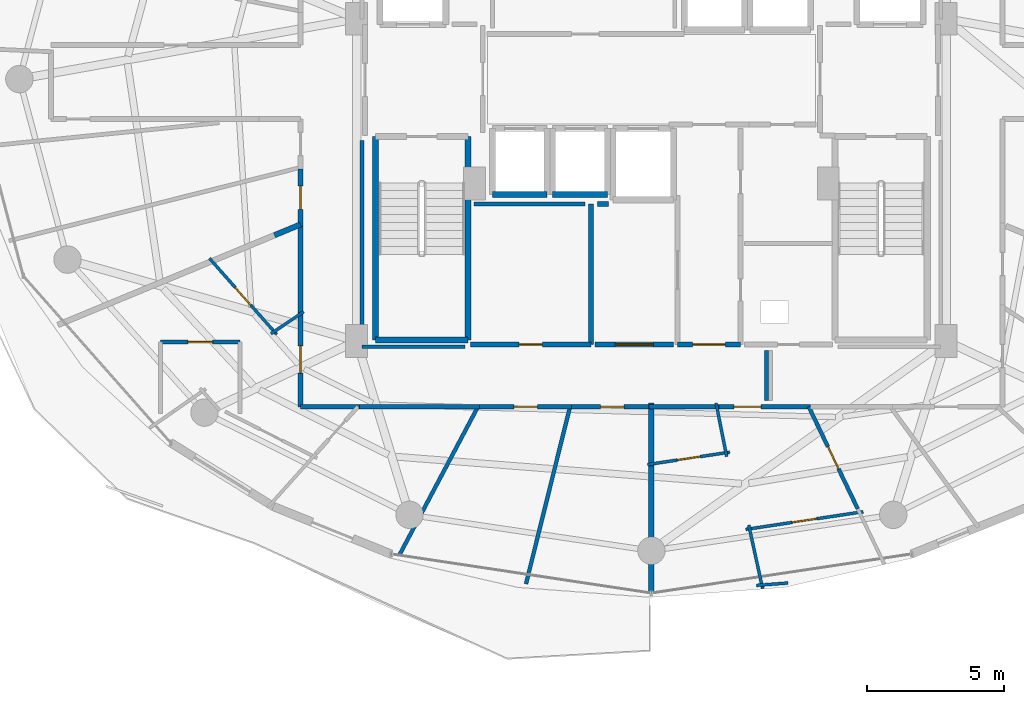
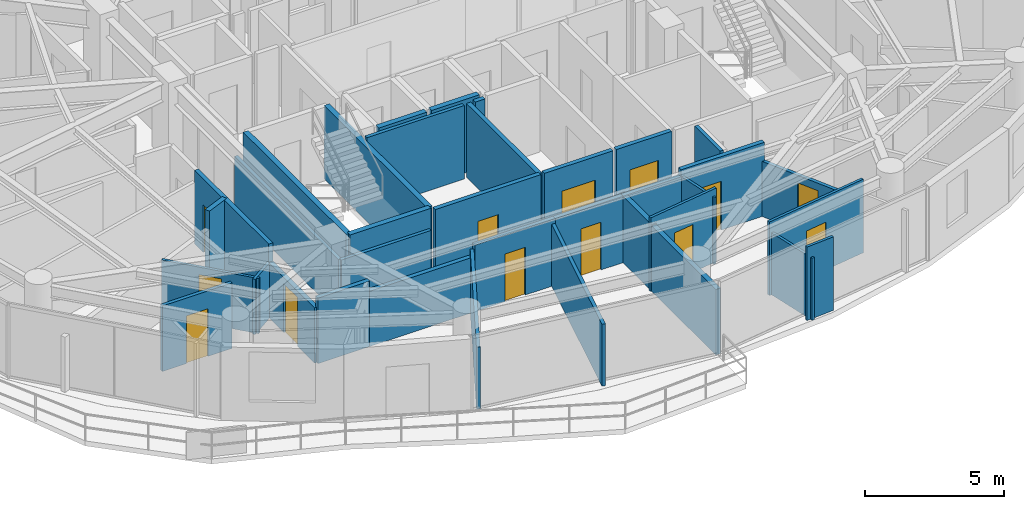
# One storey, part 20 of 28: 37 walls, 13 doors, 13 openings.
"""IFC4 building model written with IfcOpenShell, lengths in metres."""

from ifc_helpers import new_model, si_unit, direction, frame, frame_2d, origin, place, context, subcontext, project, spatial, rectangle, extrude, material, layer, layer_set, type_object, element, fill, save


model = new_model("IFC4")

# Units and contexts
model_context = context("Model", 3, precision=1e-05, world=origin(), true_north=direction((0.0, 1.0)))
body_context = subcontext(model_context, "Body", "Model", "MODEL_VIEW")
ifc_project = project(units=[si_unit("LENGTHUNIT", "METRE"), si_unit("AREAUNIT", "SQUARE_METRE"), si_unit("VOLUMEUNIT", "CUBIC_METRE"), si_unit("PLANEANGLEUNIT", "RADIAN"), si_unit("MASSUNIT", "GRAM", prefix="KILO")], contexts=[model_context])

# Site, building, storey
site_placement = place(None, origin())
site = spatial("IfcSite", under=ifc_project, at=site_placement, CompositionType="ELEMENT")
building_placement = place(site_placement, origin())
building = spatial("IfcBuilding", under=site, at=building_placement, Name="Vorneva Point Tower", CompositionType="ELEMENT")
storey_placement = place(building_placement, frame((0.0, 0.0, 164.10009765625)))
storey = spatial("IfcBuildingStorey", under=building, at=storey_placement, Name="L44", CompositionType="ELEMENT", Elevation=164.10009765625)

# Wall
ifc_material_1 = material(Name="Fire-rated acoustic gypsum stud partition", Category="gypsum")
ifc_layer_1 = layer(ifc_material_1, 0.110107421875)
ifc_layer_set_1 = layer_set([ifc_layer_1], Name="Fire-rated acoustic gypsum stud partition")
wall_type_1 = type_object("IfcWallType", Name="WL-PART-110", PredefinedType="PARTITIONING", material=ifc_layer_set_1)
wall_1_placement = place(storey_placement, frame((25.31640625, 17.513916015625, 0.0), z_axis=(0.0, 0.0, 1.0), x_axis=(-0.830948636418, -0.556349138253, 0.0)))
element("IfcWall", 1, at=wall_1_placement, inside=storey, type_object=wall_type_1, Name="L44 Interior Partition 099", PredefinedType="PARTITIONING", context=body_context, shape_type="SweptSolid", body=[
    extrude(rectangle(XDim=1.43408203125, YDim=0.110107421875, at=frame_2d((0.717041015625, 0.0))), origin(), (0.0, 0.0, 1.0), 2.431884765625),
])

# Wall, opening, door
wall_2_placement = place(storey_placement, frame((24.333740234375, 16.689208984375, 0.0), z_axis=(0.0, 0.0, 1.0), x_axis=(-0.662140147261, 0.749380027346, 0.0)))
wall_2 = element("IfcWall", 2, at=wall_2_placement, inside=storey, type_object=wall_type_1, Name="L44 Interior Partition 100", PredefinedType="PARTITIONING", context=body_context, shape_type="SweptSolid", body=[
    extrude(rectangle(XDim=3.705322265625, YDim=0.110107421875, at=frame_2d((1.8525390625, 0.0))), origin(), (0.0, 0.0, 1.0), 2.431884765625),
])
opening_1_placement = place(wall_2_placement, frame((1.427734375, 0.0, 0.0)))
opening_1 = element("IfcOpeningElement", 3, at=opening_1_placement, cuts=wall_2, Name="Opening ID-02", PredefinedType="OPENING", context=body_context, shape_type="SweptSolid", body=[
    extrude(rectangle(XDim=0.85009765625, YDim=2.10009765625, at=frame_2d((0.425048828125, 1.050048828125))), frame((0.0, 0.06982421875, 0.0), z_axis=(0.0, -1.0, 0.0), x_axis=(1.0, 0.0, 0.0)), (0.0, 0.0, 1.0), 0.139892578125),
])
ifc_material_2 = material(Name="Engineered oak fire-rated door leaf", Category="wood")
door_type_1 = type_object("IfcDoorType", Name="DR-BATH-850", OperationType="NOTDEFINED", PredefinedType="DOOR", material=ifc_material_2)
door_1_placement = place(opening_1_placement, origin())
door_1 = element("IfcDoor", 4, at=door_1_placement, inside=storey, type_object=door_type_1, Name="L44 Door Living and Dining Room L44-03 / Bathroom L44-03", OperationType="SINGLE_SWING_LEFT", OverallHeight=2.10009765625, OverallWidth=0.85009765625, PredefinedType="DOOR", context=body_context, shape_type="SweptSolid", body=[
    extrude(rectangle(XDim=0.85009765625, YDim=2.10009765625, at=frame_2d((0.425048828125, 1.050048828125))), frame((0.0, 0.02490234375, 0.0), z_axis=(0.0, -1.0, 0.0), x_axis=(1.0, 0.0, 0.0)), (0.0, 0.0, 1.0), 0.050048828125),
])
fill(opening_1, door_1)

# Wall
wall_3_placement = place(storey_placement, frame((40.357666015625, 14.187255859375, 0.0), z_axis=(0.0, 0.0, 1.0), x_axis=(0.195313900905, -0.980740781304, 0.0)))
element("IfcWall", 5, at=wall_3_placement, inside=storey, type_object=wall_type_1, Name="L44 Interior Partition 114", PredefinedType="PARTITIONING", context=body_context, shape_type="SweptSolid", body=[
    extrude(rectangle(XDim=1.989990234375, YDim=0.110107421875, at=frame_2d((0.9951171875, 0.0))), origin(), (0.0, 0.0, 1.0), 2.928955078125),
])

# Wall, opening, door
wall_4_placement = place(storey_placement, frame((40.857421875, 12.393798828125, 0.0), z_axis=(0.0, 0.0, 1.0), x_axis=(-0.988873015636, -0.148762088409, 0.0)))
wall_4 = element("IfcWall", 6, at=wall_4_placement, inside=storey, type_object=wall_type_1, Name="L44 Interior Partition 115", PredefinedType="PARTITIONING", context=body_context, shape_type="SweptSolid", body=[
    extrude(rectangle(XDim=3.029541015625, YDim=0.110107421875, at=frame_2d((1.5146484375, 0.0))), origin(), (0.0, 0.0, 1.0), 3.239990234375),
])
opening_2_placement = place(wall_4_placement, frame((1.089599609375, 0.0, 0.0)))
opening_2 = element("IfcOpeningElement", 7, at=opening_2_placement, cuts=wall_4, Name="Opening ID-02", PredefinedType="OPENING", context=body_context, shape_type="SweptSolid", body=[
    extrude(rectangle(XDim=0.85009765625, YDim=2.10009765625, at=frame_2d((0.425048828125, 1.050048828125))), frame((0.0, 0.06982421875, 0.0), z_axis=(0.0, -1.0, 0.0), x_axis=(1.0, 0.0, 0.0)), (0.0, 0.0, 1.0), 0.139892578125),
])
door_2_placement = place(opening_2_placement, origin())
door_2 = element("IfcDoor", 8, at=door_2_placement, inside=storey, type_object=door_type_1, Name="L44 Door Living and Dining Room L44-04 / Bathroom L44-04", OperationType="SINGLE_SWING_LEFT", OverallHeight=2.10009765625, OverallWidth=0.85009765625, PredefinedType="DOOR", context=body_context, shape_type="SweptSolid", body=[
    extrude(rectangle(XDim=0.85009765625, YDim=2.10009765625, at=frame_2d((0.425048828125, 1.050048828125))), frame((0.0, 0.02490234375, 0.0), z_axis=(0.0, -1.0, 0.0), x_axis=(1.0, 0.0, 0.0)), (0.0, 0.0, 1.0), 0.050048828125),
])
fill(opening_2, door_2)

# Wall
wall_5_placement = place(storey_placement, frame((42.056884765625, 7.414306640625, 0.0), z_axis=(0.0, 0.0, 1.0), x_axis=(-0.213381137421, 0.976969032361, 0.0)))
element("IfcWall", 9, at=wall_5_placement, inside=storey, type_object=wall_type_1, Name="L44 Interior Partition 116", PredefinedType="PARTITIONING", context=body_context, shape_type="SweptSolid", body=[
    extrude(rectangle(XDim=2.375244140625, YDim=0.110107421875, at=frame_2d((1.1875, 0.0))), origin(), (0.0, 0.0, 1.0), 2.727783203125),
])

# Wall, opening, door
wall_6_placement = place(storey_placement, frame((41.441650390625, 9.5771484375, 0.0), z_axis=(0.0, 0.0, 1.0), x_axis=(0.988864290865, 0.148820073417, 0.0)))
wall_6 = element("IfcWall", 10, at=wall_6_placement, inside=storey, type_object=wall_type_1, Name="L44 Interior Partition 117", PredefinedType="PARTITIONING", context=body_context, shape_type="SweptSolid", body=[
    extrude(rectangle(XDim=4.3310546875, YDim=0.110107421875, at=frame_2d((2.16552734375, 0.0))), origin(), (0.0, 0.0, 1.0), 3.239990234375),
])
opening_3_placement = place(wall_6_placement, frame((1.715576171875, 0.0, 0.0)))
opening_3 = element("IfcOpeningElement", 11, at=opening_3_placement, cuts=wall_6, Name="Opening ID-01", PredefinedType="OPENING", context=body_context, shape_type="SweptSolid", body=[
    extrude(rectangle(XDim=0.89990234375, YDim=2.10009765625, at=frame_2d((0.449951171875, 1.050048828125))), frame((0.0, 0.06982421875, 0.0), z_axis=(0.0, -1.0, 0.0), x_axis=(1.0, 0.0, 0.0)), (0.0, 0.0, 1.0), 0.139892578125),
])
door_type_2 = type_object("IfcDoorType", Name="DR-ROOM-900", OperationType="NOTDEFINED", PredefinedType="DOOR", material=ifc_material_2)
door_3_placement = place(opening_3_placement, origin())
door_3 = element("IfcDoor", 12, at=door_3_placement, inside=storey, type_object=door_type_2, Name="L44 Door Living and Dining Room L44-04 / Kitchen L44-04", OperationType="SINGLE_SWING_RIGHT", OverallHeight=2.10009765625, OverallWidth=0.89990234375, PredefinedType="DOOR", context=body_context, shape_type="SweptSolid", body=[
    extrude(rectangle(XDim=0.89990234375, YDim=2.10009765625, at=frame_2d((0.449951171875, 1.050048828125))), frame((0.0, 0.02490234375, 0.0), z_axis=(0.0, -1.0, 0.0), x_axis=(1.0, 0.0, 0.0)), (0.0, 0.0, 1.0), 0.050048828125),
])
fill(opening_3, door_3)

# Wall
wall_7_placement = place(storey_placement, frame((41.827392578125, 7.535400390625, 0.0), z_axis=(0.0, 0.0, 1.0), x_axis=(0.997175725754, 0.07510374137, 0.0)))
element("IfcWall", 13, at=wall_7_placement, inside=storey, type_object=wall_type_1, Name="L44 Interior Partition 119", PredefinedType="PARTITIONING", context=body_context, shape_type="SweptSolid", body=[
    extrude(rectangle(XDim=1.160400390625, YDim=0.110107421875, at=frame_2d((0.580078125, 0.0))), origin(), (0.0, 0.0, 1.0), 3.239990234375),
])

# Wall, opening, door
ifc_layer_2 = layer(ifc_material_1, 0.139892578125)
ifc_layer_set_2 = layer_set([ifc_layer_2], Name="Fire-rated acoustic gypsum stud partition")
wall_type_2 = type_object("IfcWallType", Name="WL-PART-140", PredefinedType="PARTITIONING", material=ifc_layer_set_2)
wall_8_placement = place(storey_placement, frame((20.09912109375, 16.408935546875, 0.0), z_axis=(0.0, 0.0, 1.0), x_axis=(1.0, 0.0, 0.0)))
wall_8 = element("IfcWall", 14, at=wall_8_placement, inside=storey, type_object=wall_type_2, Name="L44 Interior Partition 105", PredefinedType="PARTITIONING", context=body_context, shape_type="SweptSolid", body=[
    extrude(rectangle(XDim=2.89990234375, YDim=0.139892578125, at=frame_2d((1.449951171875, 0.0))), origin(), (0.0, 0.0, 1.0), 2.885986328125),
])
opening_4_placement = place(wall_8_placement, frame((1.0, 0.0, 0.0)))
opening_4 = element("IfcOpeningElement", 15, at=opening_4_placement, cuts=wall_8, Name="Opening ID-01", PredefinedType="OPENING", context=body_context, shape_type="SweptSolid", body=[
    extrude(rectangle(XDim=0.89990234375, YDim=2.10009765625, at=frame_2d((0.449951171875, 1.050048828125))), frame((0.0, 0.0849609375, 0.0), z_axis=(0.0, -1.0, 0.0), x_axis=(1.0, 0.0, 0.0)), (0.0, 0.0, 1.0), 0.169677734375),
])
door_4_placement = place(opening_4_placement, origin())
door_4 = element("IfcDoor", 16, at=door_4_placement, inside=storey, type_object=door_type_2, Name="L44 Door Living and Dining Room L44-03 / Study Room L44-03", OperationType="SINGLE_SWING_LEFT", OverallHeight=2.10009765625, OverallWidth=0.89990234375, PredefinedType="DOOR", context=body_context, shape_type="SweptSolid", body=[
    extrude(rectangle(XDim=0.89990234375, YDim=2.10009765625, at=frame_2d((0.449951171875, 1.050048828125))), frame((0.0, 0.02490234375, 0.0), z_axis=(0.0, -1.0, 0.0), x_axis=(1.0, 0.0, 0.0)), (0.0, 0.0, 1.0), 0.050048828125),
])
fill(opening_4, door_4)

# Walls
wall_9_placement = place(storey_placement, frame((28.7939453125, 8.614013671875, 0.0), z_axis=(0.0, 0.0, 1.0), x_axis=(0.468046359573, 0.883703912682, 0.0)))
element("IfcWall", 17, at=wall_9_placement, inside=storey, type_object=wall_type_2, Name="L44 Interior Partition 110", PredefinedType="PARTITIONING", context=body_context, shape_type="SweptSolid", body=[
    extrude(rectangle(XDim=6.1513671875, YDim=0.139892578125, at=frame_2d((3.07568359375, 0.0))), origin(), (0.0, 0.0, 1.0), 2.727783203125),
])
wall_10_placement = place(storey_placement, frame((33.427001953125, 7.592041015625, 0.0), z_axis=(0.0, 0.0, 1.0), x_axis=(0.241188715884, 0.970478234341, 0.0)))
element("IfcWall", 18, at=wall_10_placement, inside=storey, type_object=wall_type_2, Name="L44 Interior Partition 111", PredefinedType="PARTITIONING", context=body_context, shape_type="SweptSolid", body=[
    extrude(rectangle(XDim=6.654541015625, YDim=0.139892578125, at=frame_2d((3.3271484375, 0.0))), origin(), (0.0, 0.0, 1.0), 2.727783203125),
])

# Wall, opening, door
wall_11_placement = place(storey_placement, frame((45.525634765625, 10.327392578125, 0.0), z_axis=(0.0, 0.0, 1.0), x_axis=(-0.432873287366, 0.90145477817, 0.0)))
wall_11 = element("IfcWall", 19, at=wall_11_placement, inside=storey, type_object=wall_type_2, Name="L44 Interior Partition 120", PredefinedType="PARTITIONING", context=body_context, shape_type="SweptSolid", body=[
    extrude(rectangle(XDim=4.129638671875, YDim=0.139892578125, at=frame_2d((2.06494140625, 0.0))), origin(), (0.0, 0.0, 1.0), 2.431884765625),
])
opening_5_placement = place(wall_11_placement, frame((1.61474609375, 0.0, 0.0)))
opening_5 = element("IfcOpeningElement", 20, at=opening_5_placement, cuts=wall_11, Name="Opening ID-01", PredefinedType="OPENING", context=body_context, shape_type="SweptSolid", body=[
    extrude(rectangle(XDim=0.89990234375, YDim=2.10009765625, at=frame_2d((0.449951171875, 1.050048828125))), frame((0.0, 0.0849609375, 0.0), z_axis=(0.0, -1.0, 0.0), x_axis=(1.0, 0.0, 0.0)), (0.0, 0.0, 1.0), 0.169677734375),
])
door_5_placement = place(opening_5_placement, origin())
door_5 = element("IfcDoor", 21, at=door_5_placement, inside=storey, type_object=door_type_2, Name="L44 Door Living and Dining Room L44-04 / Master Bedroom L44-04.1", OperationType="SINGLE_SWING_LEFT", OverallHeight=2.10009765625, OverallWidth=0.89990234375, PredefinedType="DOOR", context=body_context, shape_type="SweptSolid", body=[
    extrude(rectangle(XDim=0.89990234375, YDim=2.10009765625, at=frame_2d((0.449951171875, 1.050048828125))), frame((0.0, 0.02490234375, 0.0), z_axis=(0.0, -1.0, 0.0), x_axis=(1.0, 0.0, 0.0)), (0.0, 0.0, 1.0), 0.050048828125),
])
fill(opening_5, door_5)

# Walls
wall_12_placement = place(storey_placement, frame((35.580078125, 21.449951171875, 0.0), z_axis=(0.0, 0.0, 1.0), x_axis=(-1.0, 0.0, 0.0)))
element("IfcWall", 22, at=wall_12_placement, inside=storey, type_object=wall_type_2, Name="L44 Interior Closure Partition 132", PredefinedType="PARTITIONING", context=body_context, shape_type="SweptSolid", body=[
    extrude(rectangle(XDim=4.050048828125, YDim=0.139892578125, at=frame_2d((2.02490234375, 0.0))), origin(), (0.0, 0.0, 1.0), 3.239990234375),
])
wall_13_placement = place(storey_placement, frame((27.449951171875, 23.75390625, 0.0), z_axis=(0.0, 0.0, 1.0), x_axis=(0.0, -1.0, 0.0)))
element("IfcWall", 23, at=wall_13_placement, inside=storey, type_object=wall_type_2, Name="L44 Interior Closure Partition 142", PredefinedType="PARTITIONING", context=body_context, shape_type="SweptSolid", body=[
    extrude(rectangle(XDim=7.513916015625, YDim=0.139892578125, at=frame_2d((3.7568359375, 0.0))), origin(), (0.0, 0.0, 1.0), 2.431884765625),
])
wall_14_placement = place(storey_placement, frame((27.449951171875, 16.239990234375, 0.0), z_axis=(0.0, 0.0, 1.0), x_axis=(1.0, 0.0, 0.0)))
element("IfcWall", 24, at=wall_14_placement, inside=storey, type_object=wall_type_2, Name="L44 Interior Closure Partition 143", PredefinedType="PARTITIONING", context=body_context, shape_type="SweptSolid", body=[
    extrude(rectangle(XDim=3.7451171875, YDim=0.139892578125, at=frame_2d((1.87255859375, 0.0))), origin(), (0.0, 0.0, 1.0), 2.431884765625),
])
wall_15_placement = place(storey_placement, frame((42.199951171875, 16.10009765625, 0.0), z_axis=(0.0, 0.0, 1.0), x_axis=(0.0, -1.0, 0.0)))
element("IfcWall", 25, at=wall_15_placement, inside=storey, type_object=wall_type_2, Name="L44 Interior Closure Partition 144", PredefinedType="PARTITIONING", context=body_context, shape_type="SweptSolid", body=[
    extrude(rectangle(XDim=1.830078125, YDim=0.139892578125, at=frame_2d((0.9150390625, 0.0))), origin(), (0.0, 0.0, 1.0), 3.239990234375),
])

# Wall, opening, door
ifc_material_3 = material(Name="Autoclaved aerated concrete blockwork", Category="masonry")
ifc_layer_3 = layer(ifc_material_3, 0.179931640625)
ifc_layer_set_3 = layer_set([ifc_layer_3], Name="Autoclaved aerated concrete blockwork")
wall_type_3 = type_object("IfcWallType", Name="WL-PART-180", PredefinedType="PARTITIONING", material=ifc_layer_set_3)
wall_16_placement = place(storey_placement, frame((38.949951171875, 16.320068359375, 0.0), z_axis=(0.0, 0.0, 1.0), x_axis=(1.0, 0.0, 0.0)))
wall_16 = element("IfcWall", 26, at=wall_16_placement, inside=storey, type_object=wall_type_3, Name="L44 Interior Partition 016", PredefinedType="PARTITIONING", context=body_context, shape_type="SweptSolid", body=[
    extrude(rectangle(XDim=2.300048828125, YDim=0.179931640625, at=frame_2d((1.14990234375, 0.0))), origin(), (0.0, 0.0, 1.0), 3.239990234375),
])
opening_6_placement = place(wall_16_placement, frame((0.550048828125, 0.0, 0.0)))
opening_6 = element("IfcOpeningElement", 27, at=opening_6_placement, cuts=wall_16, Name="Opening FD-02", PredefinedType="OPENING", context=body_context, shape_type="SweptSolid", body=[
    extrude(rectangle(XDim=1.199951171875, YDim=2.14990234375, at=frame_2d((0.60009765625, 1.074951171875))), frame((0.0, 0.10498046875, 0.0), z_axis=(0.0, -1.0, 0.0), x_axis=(1.0, 0.0, 0.0)), (0.0, 0.0, 1.0), 0.209716796875),
])
ifc_material_4 = material(Name="Fire-rated powder-coated steel", Category="steel")
door_type_3 = type_object("IfcDoorType", Name="DR-FFL-1200", OperationType="NOTDEFINED", PredefinedType="DOOR", material=ifc_material_4)
door_6_placement = place(opening_6_placement, origin())
door_6 = element("IfcDoor", 28, at=door_6_placement, inside=storey, type_object=door_type_3, Name="L44 Door Core Service Lobby / L44 Circulation Corridor", OperationType="SINGLE_SWING_RIGHT", OverallHeight=2.14990234375, OverallWidth=1.199951171875, PredefinedType="DOOR", context=body_context, shape_type="SweptSolid", body=[
    extrude(rectangle(XDim=1.199951171875, YDim=2.14990234375, at=frame_2d((0.60009765625, 1.074951171875))), frame((0.0, 0.02490234375, 0.0), z_axis=(0.0, -1.0, 0.0), x_axis=(1.0, 0.0, 0.0)), (0.0, 0.0, 1.0), 0.050048828125),
])
fill(opening_6, door_6)

# Wall
wall_17_placement = place(storey_placement, frame((35.800048828125, 16.320068359375, 0.0), z_axis=(0.0, 0.0, 1.0), x_axis=(0.0, 1.0, 0.0)))
element("IfcWall", 29, at=wall_17_placement, inside=storey, type_object=wall_type_3, Name="L44 Interior Partition 027", PredefinedType="PARTITIONING", context=body_context, shape_type="SweptSolid", body=[
    extrude(rectangle(XDim=5.1298828125, YDim=0.179931640625, at=frame_2d((2.56494140625, 0.0))), origin(), (0.0, 0.0, 1.0), 3.239990234375),
])

# Wall, opening, door
wall_18_placement = place(storey_placement, frame((31.39990234375, 16.320068359375, 0.0), z_axis=(0.0, 0.0, 1.0), x_axis=(1.0, 0.0, 0.0)))
wall_18 = element("IfcWall", 30, at=wall_18_placement, inside=storey, type_object=wall_type_3, Name="L44 Interior Partition 028", PredefinedType="PARTITIONING", context=body_context, shape_type="SweptSolid", body=[
    extrude(rectangle(XDim=4.400146484375, YDim=0.179931640625, at=frame_2d((2.2001953125, 0.0))), origin(), (0.0, 0.0, 1.0), 3.239990234375),
])
opening_7_placement = place(wall_18_placement, frame((1.77490234375, 0.0, 0.0)))
opening_7 = element("IfcOpeningElement", 31, at=opening_7_placement, cuts=wall_18, Name="Opening ID-02", PredefinedType="OPENING", context=body_context, shape_type="SweptSolid", body=[
    extrude(rectangle(XDim=0.85009765625, YDim=2.10009765625, at=frame_2d((0.425048828125, 1.050048828125))), frame((0.0, 0.10498046875, 0.0), z_axis=(0.0, -1.0, 0.0), x_axis=(1.0, 0.0, 0.0)), (0.0, 0.0, 1.0), 0.209716796875),
])
door_7_placement = place(opening_7_placement, origin())
door_7 = element("IfcDoor", 32, at=door_7_placement, inside=storey, type_object=door_type_1, Name="L44 Door Bicycle Gear Store / L44 Circulation Corridor", OperationType="SINGLE_SWING_LEFT", OverallHeight=2.10009765625, OverallWidth=0.85009765625, PredefinedType="DOOR", context=body_context, shape_type="SweptSolid", body=[
    extrude(rectangle(XDim=0.85009765625, YDim=2.10009765625, at=frame_2d((0.425048828125, 1.050048828125))), frame((0.0, 0.02490234375, 0.0), z_axis=(0.0, -1.0, 0.0), x_axis=(1.0, 0.0, 0.0)), (0.0, 0.0, 1.0), 0.050048828125),
])
fill(opening_7, door_7)

wall_19_placement = place(storey_placement, frame((35.949951171875, 16.320068359375, 0.0), z_axis=(0.0, 0.0, 1.0), x_axis=(1.0, 0.0, 0.0)))
wall_19 = element("IfcWall", 33, at=wall_19_placement, inside=storey, type_object=wall_type_3, Name="L44 Interior Partition 029", PredefinedType="PARTITIONING", context=body_context, shape_type="SweptSolid", body=[
    extrude(rectangle(XDim=2.85009765625, YDim=0.179931640625, at=frame_2d((1.425048828125, 0.0))), origin(), (0.0, 0.0, 1.0), 3.239990234375),
])
opening_8_placement = place(wall_19_placement, frame((0.72509765625, 0.0, 0.0)))
opening_8 = element("IfcOpeningElement", 34, at=opening_8_placement, cuts=wall_19, Name="Opening FD-03", PredefinedType="OPENING", context=body_context, shape_type="SweptSolid", body=[
    extrude(rectangle(XDim=1.39990234375, YDim=2.199951171875, at=frame_2d((0.699951171875, 1.10009765625))), frame((0.0, 0.10498046875, 0.0), z_axis=(0.0, -1.0, 0.0), x_axis=(1.0, 0.0, 0.0)), (0.0, 0.0, 1.0), 0.209716796875),
])
door_type_4 = type_object("IfcDoorType", Name="DR-PLT-1400", OperationType="DOUBLE_SWING_LEFT", PredefinedType="DOOR", material=ifc_material_4)
door_8_placement = place(opening_8_placement, origin())
door_8 = element("IfcDoor", 35, at=door_8_placement, inside=storey, type_object=door_type_4, Name="L44 Door Telecoms and Data Room / L44 Circulation Corridor", OperationType="DOUBLE_SWING_LEFT", OverallHeight=2.199951171875, OverallWidth=1.39990234375, PredefinedType="DOOR", context=body_context, shape_type="SweptSolid", body=[
    extrude(rectangle(XDim=1.39990234375, YDim=2.199951171875, at=frame_2d((0.699951171875, 1.10009765625))), frame((0.0, 0.02490234375, 0.0), z_axis=(0.0, -1.0, 0.0), x_axis=(1.0, 0.0, 0.0)), (0.0, 0.0, 1.0), 0.050048828125),
])
fill(opening_8, door_8)

wall_20_placement = place(storey_placement, frame((25.199951171875, 22.716064453125, 0.0), z_axis=(0.0, 0.0, 1.0), x_axis=(0.0, -1.0, 0.0)))
wall_20 = element("IfcWall", 36, at=wall_20_placement, inside=storey, type_object=wall_type_3, Name="L44 Interior Partition 046", PredefinedType="PARTITIONING", context=body_context, shape_type="SweptSolid", body=[
    extrude(rectangle(XDim=2.0830078125, YDim=0.179931640625, at=frame_2d((1.04150390625, 0.0))), origin(), (0.0, 0.0, 1.0), 3.239990234375),
])
opening_9_placement = place(wall_20_placement, frame((0.616455078125, 0.0, 0.0)))
opening_9 = element("IfcOpeningElement", 37, at=opening_9_placement, cuts=wall_20, Name="Opening ID-02", PredefinedType="OPENING", context=body_context, shape_type="SweptSolid", body=[
    extrude(rectangle(XDim=0.85009765625, YDim=2.10009765625, at=frame_2d((0.425048828125, 1.050048828125))), frame((0.0, 0.10498046875, 0.0), z_axis=(0.0, -1.0, 0.0), x_axis=(1.0, 0.0, 0.0)), (0.0, 0.0, 1.0), 0.209716796875),
])
door_9_placement = place(opening_9_placement, origin())
door_9 = element("IfcDoor", 38, at=door_9_placement, inside=storey, type_object=door_type_1, Name="L44 Access Door L44 Circulation Corridor", OperationType="SINGLE_SWING_RIGHT", OverallHeight=2.10009765625, OverallWidth=0.85009765625, PredefinedType="DOOR", context=body_context, shape_type="SweptSolid", body=[
    extrude(rectangle(XDim=0.85009765625, YDim=2.10009765625, at=frame_2d((0.425048828125, 1.050048828125))), frame((0.0, 0.02490234375, 0.0), z_axis=(0.0, -1.0, 0.0), x_axis=(1.0, 0.0, 0.0)), (0.0, 0.0, 1.0), 0.050048828125),
])
fill(opening_9, door_9)

wall_21_placement = place(storey_placement, frame((25.199951171875, 17.49609375, 0.0), z_axis=(0.0, 0.0, 1.0), x_axis=(0.0, -1.0, 0.0)))
wall_21 = element("IfcWall", 39, at=wall_21_placement, inside=storey, type_object=wall_type_3, Name="L44 Interior Partition 047", PredefinedType="PARTITIONING", context=body_context, shape_type="SweptSolid", body=[
    extrude(rectangle(XDim=3.446044921875, YDim=0.179931640625, at=frame_2d((1.72314453125, 0.0))), origin(), (0.0, 0.0, 1.0), 2.431884765625),
])
opening_10_placement = place(wall_21_placement, frame((1.222900390625, 0.0, 0.0)))
opening_10 = element("IfcOpeningElement", 40, at=opening_10_placement, cuts=wall_21, Name="Opening UD-01", PredefinedType="OPENING", context=body_context, shape_type="SweptSolid", body=[
    extrude(rectangle(XDim=1.0, YDim=2.14990234375, at=frame_2d((0.5, 1.074951171875))), frame((0.0, 0.10498046875, 0.0), z_axis=(0.0, -1.0, 0.0), x_axis=(1.0, 0.0, 0.0)), (0.0, 0.0, 1.0), 0.209716796875),
])
door_type_5 = type_object("IfcDoorType", Name="DR-UNIT-1000", OperationType="NOTDEFINED", PredefinedType="DOOR", material=ifc_material_2)
door_10_placement = place(opening_10_placement, origin())
door_10 = element("IfcDoor", 41, at=door_10_placement, inside=storey, type_object=door_type_5, Name="L44 Door L44 Circulation Corridor / Living and Dining Room L44-03", OperationType="SINGLE_SWING_LEFT", OverallHeight=2.14990234375, OverallWidth=1.0, PredefinedType="DOOR", context=body_context, shape_type="SweptSolid", body=[
    extrude(rectangle(XDim=1.0, YDim=2.14990234375, at=frame_2d((0.5, 1.074951171875))), frame((0.0, 0.02490234375, 0.0), z_axis=(0.0, -1.0, 0.0), x_axis=(1.0, 0.0, 0.0)), (0.0, 0.0, 1.0), 0.050048828125),
])
fill(opening_10, door_10)

# Walls
wall_22_placement = place(storey_placement, frame((25.199951171875, 14.050048828125, 0.0), z_axis=(0.0, 0.0, 1.0), x_axis=(1.0, 0.0, 0.0)))
element("IfcWall", 42, at=wall_22_placement, inside=storey, type_object=wall_type_3, Name="L44 Interior Partition 048", PredefinedType="PARTITIONING", context=body_context, shape_type="SweptSolid", body=[
    extrude(rectangle(XDim=2.156982421875, YDim=0.179931640625, at=frame_2d((1.07861328125, 0.0))), origin(), (0.0, 0.0, 1.0), 2.885986328125),
])
wall_23_placement = place(storey_placement, frame((25.199951171875, 20.77294921875, 0.0), z_axis=(0.0, 0.0, 1.0), x_axis=(0.0, -1.0, 0.0)))
element("IfcWall", 43, at=wall_23_placement, inside=storey, type_object=wall_type_3, Name="L44 Interior Partition 049", PredefinedType="PARTITIONING", context=body_context, shape_type="SweptSolid", body=[
    extrude(rectangle(XDim=3.4169921875, YDim=0.179931640625, at=frame_2d((1.70849609375, 0.0))), origin(), (0.0, 0.0, 1.0), 3.239990234375),
])
wall_24_placement = place(storey_placement, frame((27.35693359375, 14.050048828125, 0.0), z_axis=(0.0, 0.0, 1.0), x_axis=(1.0, 0.0, 0.0)))
element("IfcWall", 44, at=wall_24_placement, inside=storey, type_object=wall_type_3, Name="L44 Interior Partition 050", PredefinedType="PARTITIONING", context=body_context, shape_type="SweptSolid", body=[
    extrude(rectangle(XDim=4.3759765625, YDim=0.179931640625, at=frame_2d((2.18798828125, 0.0))), origin(), (0.0, 0.0, 1.0), 2.431884765625),
])

# Wall, opening, door
wall_25_placement = place(storey_placement, frame((31.73291015625, 14.050048828125, 0.0), z_axis=(0.0, 0.0, 1.0), x_axis=(1.0, 0.0, 0.0)))
wall_25 = element("IfcWall", 45, at=wall_25_placement, inside=storey, type_object=wall_type_3, Name="L44 Interior Partition 051", PredefinedType="PARTITIONING", context=body_context, shape_type="SweptSolid", body=[
    extrude(rectangle(XDim=3.359130859375, YDim=0.179931640625, at=frame_2d((1.6796875, 0.0))), origin(), (0.0, 0.0, 1.0), 2.928955078125),
])
opening_11_placement = place(wall_25_placement, frame((1.25439453125, 0.0, 0.0)))
opening_11 = element("IfcOpeningElement", 46, at=opening_11_placement, cuts=wall_25, Name="Opening ID-02", PredefinedType="OPENING", context=body_context, shape_type="SweptSolid", body=[
    extrude(rectangle(XDim=0.85009765625, YDim=2.10009765625, at=frame_2d((0.425048828125, 1.050048828125))), frame((0.0, 0.10498046875, 0.0), z_axis=(0.0, -1.0, 0.0), x_axis=(1.0, 0.0, 0.0)), (0.0, 0.0, 1.0), 0.209716796875),
])
door_11_placement = place(opening_11_placement, origin())
door_11 = element("IfcDoor", 47, at=door_11_placement, inside=storey, type_object=door_type_1, Name="L44 Access Door L44 Circulation Corridor", OperationType="SINGLE_SWING_LEFT", OverallHeight=2.10009765625, OverallWidth=0.85009765625, PredefinedType="DOOR", context=body_context, shape_type="SweptSolid", body=[
    extrude(rectangle(XDim=0.85009765625, YDim=2.10009765625, at=frame_2d((0.425048828125, 1.050048828125))), frame((0.0, 0.02490234375, 0.0), z_axis=(0.0, -1.0, 0.0), x_axis=(1.0, 0.0, 0.0)), (0.0, 0.0, 1.0), 0.050048828125),
])
fill(opening_11, door_11)

wall_26_placement = place(storey_placement, frame((35.092041015625, 14.050048828125, 0.0), z_axis=(0.0, 0.0, 1.0), x_axis=(1.0, 0.0, 0.0)))
wall_26 = element("IfcWall", 48, at=wall_26_placement, inside=storey, type_object=wall_type_3, Name="L44 Interior Partition 052", PredefinedType="PARTITIONING", context=body_context, shape_type="SweptSolid", body=[
    extrude(rectangle(XDim=2.968017578125, YDim=0.179931640625, at=frame_2d((1.48388671875, 0.0))), origin(), (0.0, 0.0, 1.0), 2.928955078125),
])
opening_12_placement = place(wall_26_placement, frame((1.05908203125, 0.0, 0.0)))
opening_12 = element("IfcOpeningElement", 49, at=opening_12_placement, cuts=wall_26, Name="Opening ID-02", PredefinedType="OPENING", context=body_context, shape_type="SweptSolid", body=[
    extrude(rectangle(XDim=0.85009765625, YDim=2.10009765625, at=frame_2d((0.425048828125, 1.050048828125))), frame((0.0, 0.10498046875, 0.0), z_axis=(0.0, -1.0, 0.0), x_axis=(1.0, 0.0, 0.0)), (0.0, 0.0, 1.0), 0.209716796875),
])
door_12_placement = place(opening_12_placement, origin())
door_12 = element("IfcDoor", 50, at=door_12_placement, inside=storey, type_object=door_type_1, Name="L44 Access Door L44 Circulation Corridor", OperationType="SINGLE_SWING_RIGHT", OverallHeight=2.10009765625, OverallWidth=0.85009765625, PredefinedType="DOOR", context=body_context, shape_type="SweptSolid", body=[
    extrude(rectangle(XDim=0.85009765625, YDim=2.10009765625, at=frame_2d((0.425048828125, 1.050048828125))), frame((0.0, 0.02490234375, 0.0), z_axis=(0.0, -1.0, 0.0), x_axis=(1.0, 0.0, 0.0)), (0.0, 0.0, 1.0), 0.050048828125),
])
fill(opening_12, door_12)

wall_27_placement = place(storey_placement, frame((40.324951171875, 14.050048828125, 0.0), z_axis=(0.0, 0.0, 1.0), x_axis=(1.0, 0.0, 0.0)))
wall_27 = element("IfcWall", 51, at=wall_27_placement, inside=storey, type_object=wall_type_3, Name="L44 Interior Partition 053", PredefinedType="PARTITIONING", context=body_context, shape_type="SweptSolid", body=[
    extrude(rectangle(XDim=3.47998046875, YDim=0.179931640625, at=frame_2d((1.739990234375, 0.0))), origin(), (0.0, 0.0, 1.0), 3.239990234375),
])
opening_13_placement = place(wall_27_placement, frame((0.679931640625, 0.0, 0.0)))
opening_13 = element("IfcOpeningElement", 52, at=opening_13_placement, cuts=wall_27, Name="Opening UD-01", PredefinedType="OPENING", context=body_context, shape_type="SweptSolid", body=[
    extrude(rectangle(XDim=1.0, YDim=2.14990234375, at=frame_2d((0.5, 1.074951171875))), frame((0.0, 0.10498046875, 0.0), z_axis=(0.0, -1.0, 0.0), x_axis=(1.0, 0.0, 0.0)), (0.0, 0.0, 1.0), 0.209716796875),
])
door_13_placement = place(opening_13_placement, origin())
door_13 = element("IfcDoor", 53, at=door_13_placement, inside=storey, type_object=door_type_5, Name="L44 Door L44 Circulation Corridor / Living and Dining Room L44-04", OperationType="SINGLE_SWING_RIGHT", OverallHeight=2.14990234375, OverallWidth=1.0, PredefinedType="DOOR", context=body_context, shape_type="SweptSolid", body=[
    extrude(rectangle(XDim=1.0, YDim=2.14990234375, at=frame_2d((0.5, 1.074951171875))), frame((0.0, 0.02490234375, 0.0), z_axis=(0.0, -1.0, 0.0), x_axis=(1.0, 0.0, 0.0)), (0.0, 0.0, 1.0), 0.050048828125),
])
fill(opening_13, door_13)

# Walls
wall_28_placement = place(storey_placement, frame((37.919921875, 14.050048828125, 0.0), z_axis=(0.0, 0.0, 1.0), x_axis=(1.0, 0.0, 0.0)))
element("IfcWall", 54, at=wall_28_placement, inside=storey, type_object=wall_type_3, Name="L44 Interior Partition 054", PredefinedType="PARTITIONING", context=body_context, shape_type="SweptSolid", body=[
    extrude(rectangle(XDim=2.545166015625, YDim=0.179931640625, at=frame_2d((1.2724609375, 0.0))), origin(), (0.0, 0.0, 1.0), 2.928955078125),
])
wall_29_placement = place(storey_placement, frame((36.43896484375, 21.449951171875, 0.0), z_axis=(0.0, 0.0, 1.0), x_axis=(-1.0, 0.0, 0.0)))
element("IfcWall", 55, at=wall_29_placement, inside=storey, type_object=wall_type_3, Name="L44 Interior Closure Partition 133", PredefinedType="PARTITIONING", context=body_context, shape_type="SweptSolid", body=[
    extrude(rectangle(XDim=0.408935546875, YDim=0.179931640625, at=frame_2d((0.20458984375, 0.0))), origin(), (0.0, 0.0, 1.0), 3.239990234375),
])
ifc_layer_4 = layer(ifc_material_3, 0.199951171875)
ifc_layer_set_4 = layer_set([ifc_layer_4], Name="Autoclaved aerated concrete blockwork")
wall_type_4 = type_object("IfcWallType", Name="WL-PART-200", PredefinedType="PARTITIONING", material=ifc_layer_set_4)
wall_30_placement = place(storey_placement, frame((24.253662109375, 20.306396484375, 0.0), z_axis=(0.0, 0.0, 1.0), x_axis=(0.923789545328, 0.382900608439, 0.0)))
element("IfcWall", 56, at=wall_30_placement, inside=storey, type_object=wall_type_4, Name="L44 Interior Partition 098", PredefinedType="PARTITIONING", context=body_context, shape_type="SweptSolid", body=[
    extrude(rectangle(XDim=1.021484375, YDim=0.199951171875, at=frame_2d((0.5107421875, 0.0))), origin(), (0.0, 0.0, 1.0), 3.239990234375),
])
wall_31_placement = place(storey_placement, frame((38.0, 7.25, 0.0), z_axis=(0.0, 0.0, 1.0), x_axis=(0.0, 1.0, 0.0)))
element("IfcWall", 57, at=wall_31_placement, inside=storey, type_object=wall_type_4, Name="L44 Interior Partition 112", PredefinedType="PARTITIONING", context=body_context, shape_type="SweptSolid", body=[
    extrude(rectangle(XDim=4.77490234375, YDim=0.199951171875, at=frame_2d((2.387451171875, 0.0))), origin(), (0.0, 0.0, 1.0), 2.885986328125),
])
wall_32_placement = place(storey_placement, frame((38.0, 11.885009765625, 0.0), z_axis=(0.0, 0.0, 1.0), x_axis=(0.0, 1.0, 0.0)))
element("IfcWall", 58, at=wall_32_placement, inside=storey, type_object=wall_type_4, Name="L44 Interior Partition 113", PredefinedType="PARTITIONING", context=body_context, shape_type="SweptSolid", body=[
    extrude(rectangle(XDim=2.304931640625, YDim=0.199951171875, at=frame_2d((1.15234375, 0.0))), origin(), (0.0, 0.0, 1.0), 2.928955078125),
])
ifc_material_5 = material(Name="Concrete B50 (C40/50)", Category="concrete")
ifc_layer_5 = layer(ifc_material_5, 0.219970703125)
ifc_layer_set_5 = layer_set([ifc_layer_5], Name="Concrete B50 (C40/50)")
wall_type_5 = type_object("IfcWallType", Name="WL-SHFT-220", PredefinedType="SOLIDWALL", material=ifc_layer_set_5)
wall_33_placement = place(storey_placement, frame((31.31005859375, 23.909912109375, 0.0), z_axis=(0.0, 0.0, 1.0), x_axis=(0.0, -1.0, 0.0)))
element("IfcWall", 59, at=wall_33_placement, inside=storey, type_object=wall_type_5, Name="L44 Exit Stair ST1 Shaft Wall right", PredefinedType="SOLIDWALL", context=body_context, shape_type="SweptSolid", body=[
    extrude(rectangle(XDim=7.419921875, YDim=0.219970703125, at=frame_2d((3.7099609375, 0.0))), origin(), (0.0, 0.0, 1.0), 3.239990234375),
])
wall_34_placement = place(storey_placement, frame((31.31005859375, 16.489990234375, 0.0), z_axis=(0.0, 0.0, 1.0), x_axis=(-1.0, 0.0, 0.0)))
element("IfcWall", 60, at=wall_34_placement, inside=storey, type_object=wall_type_5, Name="L44 Exit Stair ST1 Shaft Wall far", PredefinedType="SOLIDWALL", context=body_context, shape_type="SweptSolid", body=[
    extrude(rectangle(XDim=3.3701171875, YDim=0.219970703125, at=frame_2d((1.68505859375, 0.0))), origin(), (0.0, 0.0, 1.0), 3.239990234375),
])
wall_35_placement = place(storey_placement, frame((27.93994140625, 16.489990234375, 0.0), z_axis=(0.0, 0.0, 1.0), x_axis=(0.0, 1.0, 0.0)))
element("IfcWall", 61, at=wall_35_placement, inside=storey, type_object=wall_type_5, Name="L44 Exit Stair ST1 Shaft Wall left", PredefinedType="SOLIDWALL", context=body_context, shape_type="SweptSolid", body=[
    extrude(rectangle(XDim=7.419921875, YDim=0.219970703125, at=frame_2d((3.7099609375, 0.0))), origin(), (0.0, 0.0, 1.0), 3.239990234375),
])
for number, where, z_axis, x_axis, name in (
    (62, (32.199951171875, 21.800048828125, 0.0), (0.0, 0.0, 1.0), (1.0, 0.0, 0.0), "L44 Lift PL4 Shaft Wall -Y"),
    (63, (34.39990234375, 21.800048828125, 0.0), (0.0, 0.0, 1.0), (1.0, 0.0, 0.0), "L44 Lift PL5 Shaft Wall -Y"),
):
    element("IfcWall", number, at=place(storey_placement, frame(where, z_axis=z_axis, x_axis=x_axis)), inside=storey, type_object=wall_type_5, Name=name, PredefinedType="SOLIDWALL", context=body_context, shape_type="SweptSolid", body=[
        extrude(rectangle(XDim=2.0, YDim=0.219970703125, at=frame_2d((1.0, 0.0))), origin(), (0.0, 0.0, 1.0), 3.239990234375),
    ])

save(model, "model.ifc")
